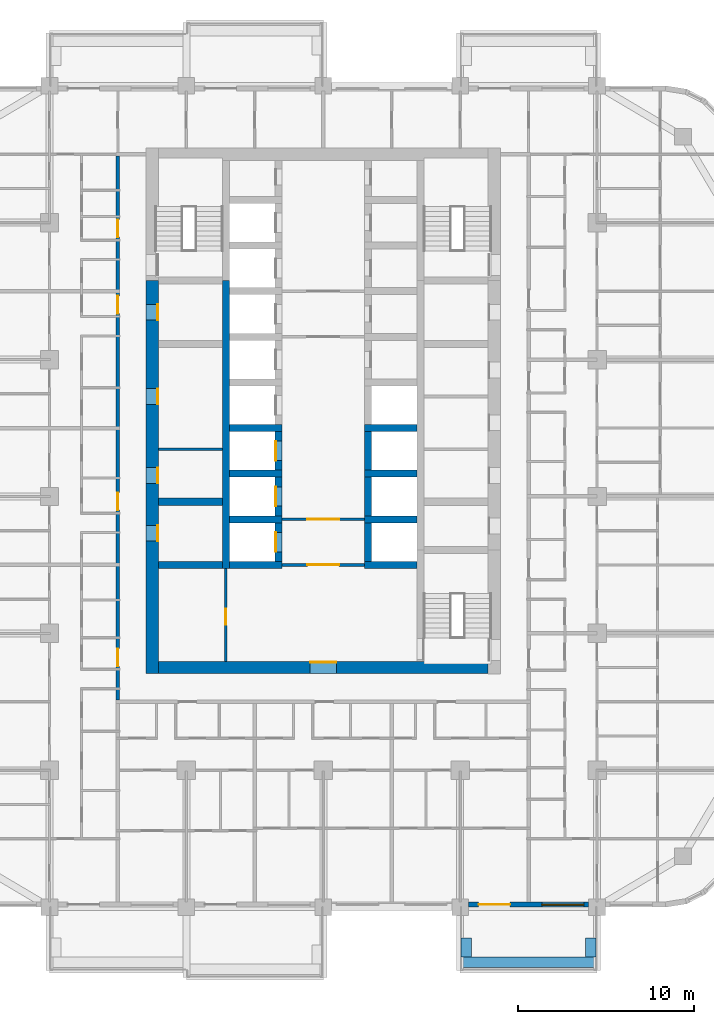
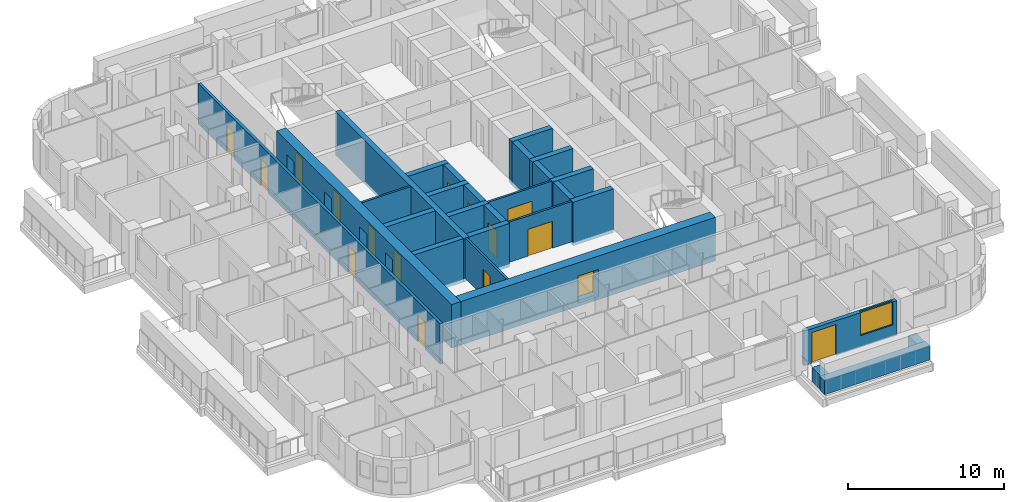
# One storey, part 6 of 18: 28 walls, 16 doors, 1 window, 17 openings.
"""IFC4 building model written with IfcOpenShell, lengths in metres."""

from ifc_helpers import new_model, si_unit, direction, frame, frame_2d, origin, place, context, subcontext, project, spatial, rectangle, extrude, material, layer, layer_set, type_object, element, fill, save


model = new_model("IFC4")

# Units and contexts
model_context = context("Model", 3, precision=1e-05, world=origin(), true_north=direction((0.0, 1.0)))
body_context = subcontext(model_context, "Body", "Model", "MODEL_VIEW")
ifc_project = project(units=[si_unit("LENGTHUNIT", "METRE"), si_unit("AREAUNIT", "SQUARE_METRE"), si_unit("VOLUMEUNIT", "CUBIC_METRE"), si_unit("PLANEANGLEUNIT", "RADIAN"), si_unit("MASSUNIT", "GRAM", prefix="KILO")], contexts=[model_context])

# Site, building, storey
site_placement = place(None, origin())
site = spatial("IfcSite", under=ifc_project, at=site_placement, CompositionType="ELEMENT")
building_placement = place(site_placement, origin())
building = spatial("IfcBuilding", under=site, at=building_placement, Name="Ludao Terraces", CompositionType="ELEMENT")
storey_placement = place(building_placement, frame((0.0, 0.0, 64.800048828125)))
storey = spatial("IfcBuildingStorey", under=building, at=storey_placement, Name="L17", CompositionType="ELEMENT", Elevation=64.800048828125)

# Wall, openings, doors
ifc_material_1 = material(Name="Concrete C70", Category="concrete")
ifc_layer_1 = layer(ifc_material_1, 0.699951171875)
ifc_layer_set_1 = layer_set([ifc_layer_1], Name="Core wall 700 C70")
wall_type_1 = type_object("IfcWallType", Name="Core wall 700 C70", PredefinedType="SOLIDWALL", material=ifc_layer_set_1)
wall_1_placement = place(storey_placement, frame((75.25, 54.89990234375, -0.25), z_axis=(0.0, 0.0, 1.0), x_axis=(0.0, 1.0, 0.0)))
wall_1 = element("IfcWall", 1, at=wall_1_placement, inside=storey, type_object=wall_type_1, Name="Core wall L17 outer-W", PredefinedType="SOLIDWALL", context=body_context, shape_type="SweptSolid", body=[
    extrude(rectangle(XDim=22.400146484375, YDim=0.699951171875, at=frame_2d((11.2001953125, 0.0))), origin(), (0.0, 0.0, 1.0), 3.39990234375),
])
opening_1_placement = place(wall_1_placement, frame((7.550048828125, 0.0, 0.25)))
opening_1 = element("IfcOpeningElement", 2, at=opening_1_placement, cuts=wall_1, Name="Opening R05-079", PredefinedType="OPENING", context=body_context, shape_type="SweptSolid", body=[
    extrude(rectangle(XDim=0.89990234375, YDim=2.10009765625, at=frame_2d((0.449951171875, 1.050048828125))), frame((0.0, 0.35986328125, 0.0), z_axis=(0.0, -1.0, 0.0), x_axis=(1.0, 0.0, 0.0)), (0.0, 0.0, 1.0), 0.719970703125),
])
opening_2_placement = place(wall_1_placement, frame((10.85009765625, 0.0, 0.25)))
opening_2 = element("IfcOpeningElement", 3, at=opening_2_placement, cuts=wall_1, Name="Opening R05-092", PredefinedType="OPENING", context=body_context, shape_type="SweptSolid", body=[
    extrude(rectangle(XDim=0.89990234375, YDim=2.10009765625, at=frame_2d((0.449951171875, 1.050048828125))), frame((0.0, 0.35986328125, 0.0), z_axis=(0.0, -1.0, 0.0), x_axis=(1.0, 0.0, 0.0)), (0.0, 0.0, 1.0), 0.719970703125),
])
opening_3_placement = place(wall_1_placement, frame((15.35009765625, 0.0, 0.25)))
opening_3 = element("IfcOpeningElement", 4, at=opening_3_placement, cuts=wall_1, Name="Opening R05-105", PredefinedType="OPENING", context=body_context, shape_type="SweptSolid", body=[
    extrude(rectangle(XDim=0.89990234375, YDim=2.10009765625, at=frame_2d((0.449951171875, 1.050048828125))), frame((0.0, 0.35986328125, 0.0), z_axis=(0.0, -1.0, 0.0), x_axis=(1.0, 0.0, 0.0)), (0.0, 0.0, 1.0), 0.719970703125),
])
opening_4_placement = place(wall_1_placement, frame((20.14990234375, 0.0, 0.25)))
opening_4 = element("IfcOpeningElement", 5, at=opening_4_placement, cuts=wall_1, Name="Opening R05-123", PredefinedType="OPENING", context=body_context, shape_type="SweptSolid", body=[
    extrude(rectangle(XDim=0.89990234375, YDim=2.10009765625, at=frame_2d((0.449951171875, 1.050048828125))), frame((0.0, 0.35986328125, 0.0), z_axis=(0.0, -1.0, 0.0), x_axis=(1.0, 0.0, 0.0)), (0.0, 0.0, 1.0), 0.719970703125),
])
ifc_material_2 = material(Name="Steel Q235", Category="steel")
door_type_1 = type_object("IfcDoorType", Name="INT Riser door 900", OperationType="SINGLE_SWING_LEFT", PredefinedType="DOOR", material=ifc_material_2)
door_1_placement = place(opening_1_placement, origin())
door_1 = element("IfcDoor", 6, at=door_1_placement, inside=storey, type_object=door_type_1, Name="DOOR 079", OperationType="SINGLE_SWING_RIGHT", OverallHeight=2.10009765625, OverallWidth=0.89990234375, PredefinedType="DOOR", context=body_context, shape_type="SweptSolid", body=[
    extrude(rectangle(XDim=0.89990234375, YDim=2.10009765625, at=frame_2d((0.449951171875, 1.050048828125))), frame((0.0, -0.28515625, 0.0), z_axis=(0.0, -1.0, 0.0), x_axis=(1.0, 0.0, 0.0)), (0.0, 0.0, 1.0), 0.050048828125),
])
fill(opening_1, door_1)
door_2_placement = place(opening_4_placement, origin())
door_2 = element("IfcDoor", 7, at=door_2_placement, inside=storey, type_object=door_type_1, Name="DOOR 123", OperationType="SINGLE_SWING_RIGHT", OverallHeight=2.10009765625, OverallWidth=0.89990234375, PredefinedType="DOOR", context=body_context, shape_type="SweptSolid", body=[
    extrude(rectangle(XDim=0.89990234375, YDim=2.10009765625, at=frame_2d((0.449951171875, 1.050048828125))), frame((0.0, -0.28515625, 0.0), z_axis=(0.0, -1.0, 0.0), x_axis=(1.0, 0.0, 0.0)), (0.0, 0.0, 1.0), 0.050048828125),
])
fill(opening_4, door_2)
ifc_material_3 = material(Name="Timber door leaf", Category="wood")
door_type_2 = type_object("IfcDoorType", Name="INT Room door 900", OperationType="SINGLE_SWING_LEFT", PredefinedType="DOOR", material=ifc_material_3)
door_3_placement = place(opening_2_placement, origin())
door_3 = element("IfcDoor", 8, at=door_3_placement, inside=storey, type_object=door_type_2, Name="DOOR 092", OperationType="SINGLE_SWING_RIGHT", OverallHeight=2.10009765625, OverallWidth=0.89990234375, PredefinedType="DOOR", context=body_context, shape_type="SweptSolid", body=[
    extrude(rectangle(XDim=0.89990234375, YDim=2.10009765625, at=frame_2d((0.449951171875, 1.050048828125))), frame((0.0, -0.28515625, 0.0), z_axis=(0.0, -1.0, 0.0), x_axis=(1.0, 0.0, 0.0)), (0.0, 0.0, 1.0), 0.050048828125),
])
fill(opening_2, door_3)
door_4_placement = place(opening_3_placement, origin())
door_4 = element("IfcDoor", 9, at=door_4_placement, inside=storey, type_object=door_type_2, Name="DOOR 105", OperationType="SINGLE_SWING_LEFT", OverallHeight=2.10009765625, OverallWidth=0.89990234375, PredefinedType="DOOR", context=body_context, shape_type="SweptSolid", body=[
    extrude(rectangle(XDim=0.89990234375, YDim=2.10009765625, at=frame_2d((0.449951171875, 1.050048828125))), frame((0.0, -0.28515625, 0.0), z_axis=(0.0, -1.0, 0.0), x_axis=(1.0, 0.0, 0.0)), (0.0, 0.0, 1.0), 0.050048828125),
])
fill(opening_3, door_4)

# Wall, opening, door
wall_2_placement = place(storey_placement, frame((75.60009765625, 55.25, -0.25), z_axis=(0.0, 0.0, 1.0), x_axis=(1.0, 0.0, 0.0)))
wall_2 = element("IfcWall", 10, at=wall_2_placement, inside=storey, type_object=wall_type_1, Name="Core wall L17 outer-S", PredefinedType="SOLIDWALL", context=body_context, shape_type="SweptSolid", body=[
    extrude(rectangle(XDim=18.7998046875, YDim=0.699951171875, at=frame_2d((9.39990234375, 0.0))), origin(), (0.0, 0.0, 1.0), 3.39990234375),
])
opening_5_placement = place(wall_2_placement, frame((8.64990234375, 0.0, 0.25)))
opening_5 = element("IfcOpeningElement", 11, at=opening_5_placement, cuts=wall_2, Name="Opening R05-054", PredefinedType="OPENING", context=body_context, shape_type="SweptSolid", body=[
    extrude(rectangle(XDim=1.5, YDim=2.10009765625, at=frame_2d((0.75, 1.050048828125))), frame((0.0, 0.35986328125, 0.0), z_axis=(0.0, -1.0, 0.0), x_axis=(1.0, 0.0, 0.0)), (0.0, 0.0, 1.0), 0.719970703125),
])
door_type_3 = type_object("IfcDoorType", Name="INT Lobby door 1500", OperationType="DOUBLE_DOOR_SINGLE_SWING", PredefinedType="DOOR", material=ifc_material_2)
door_5_placement = place(opening_5_placement, origin())
door_5 = element("IfcDoor", 12, at=door_5_placement, inside=storey, type_object=door_type_3, Name="DOOR 054", OperationType="DOUBLE_DOOR_SINGLE_SWING", OverallHeight=2.10009765625, OverallWidth=1.5, PredefinedType="DOOR", context=body_context, shape_type="SweptSolid", body=[
    extrude(rectangle(XDim=1.5, YDim=2.10009765625, at=frame_2d((0.75, 1.050048828125))), frame((0.0, 0.3349609375, 0.0), z_axis=(0.0, -1.0, 0.0), x_axis=(1.0, 0.0, 0.0)), (0.0, 0.0, 1.0), 0.050048828125),
])
fill(opening_5, door_5)

# Walls
ifc_material_4 = material(Name="Concrete C40", Category="concrete")
ifc_layer_2 = layer(ifc_material_4, 0.60009765625)
ifc_layer_set_2 = layer_set([ifc_layer_2], Name="ENV Planter trough 600")
wall_type_2 = type_object("IfcWallType", Name="ENV Planter trough 600", PredefinedType="USERDEFINED", material=ifc_layer_set_2)
wall_3_placement = place(storey_placement, frame((92.800048828125, 38.449951171875, 0.0), z_axis=(0.0, 0.0, 1.0), x_axis=(1.0, 0.0, 0.0)))
element("IfcWall", 13, at=wall_3_placement, inside=storey, type_object=wall_type_2, Name="PL-L17-S4", ObjectType="PLANTER", PredefinedType="USERDEFINED", context=body_context, shape_type="SweptSolid", body=[
    extrude(rectangle(XDim=7.800048828125, YDim=0.60009765625, at=frame_2d((3.89990234375, 0.0))), origin(), (0.0, 0.0, 1.0), 1.099853515625),
])
for number, where, z_axis, x_axis, name in (
    (14, (93.14990234375, 38.75, 0.0), (0.0, 0.0, 1.0), (0.0, 1.0, 0.0), "PL-L17-S4-SA"),
    (15, (100.25, 38.75, 0.0), (0.0, 0.0, 1.0), (0.0, 1.0, 0.0), "PL-L17-S4-SB"),
):
    element("IfcWall", number, at=place(storey_placement, frame(where, z_axis=z_axis, x_axis=x_axis)), inside=storey, type_object=wall_type_2, Name=name, ObjectType="PLANTER", PredefinedType="USERDEFINED", context=body_context, shape_type="SweptSolid", body=[
        extrude(rectangle(XDim=1.10009765625, YDim=0.60009765625, at=frame_2d((0.550048828125, 0.0))), origin(), (0.0, 0.0, 1.0), 1.099853515625),
    ])

# Wall, openings, door, window
ifc_material_5 = material(Name="Granite cladding", Category="masonry")
ifc_layer_3 = layer(ifc_material_5, 0.0400390625, Category="stone")
ifc_material_6 = material(Name="Mineral wool")
ifc_layer_4 = layer(ifc_material_6, 0.06005859375)
ifc_layer_5 = layer(ifc_material_4, 0.199951171875, Category="concrete")
ifc_layer_set_3 = layer_set([ifc_layer_3, ifc_layer_4, ifc_layer_5], Name="ENV Stone-clad wall 300")
wall_type_3 = type_object("IfcWallType", Name="ENV Stone-clad wall 300", PredefinedType="SOLIDWALL", material=ifc_layer_set_3)
wall_4_placement = place(storey_placement, frame((93.27490234375, 41.75, 0.0), z_axis=(0.0, 0.0, 1.0), x_axis=(1.0, 0.0, 0.0)))
wall_4 = element("IfcWall", 16, at=wall_4_placement, inside=storey, type_object=wall_type_3, Name="EW-L17-S5", PredefinedType="SOLIDWALL", context=body_context, shape_type="SweptSolid", body=[
    extrude(rectangle(XDim=6.85009765625, YDim=0.300048828125, at=frame_2d((3.425048828125, 0.0))), origin(), (0.0, 0.0, 1.0), 2.699951171875),
])
opening_6_placement = place(wall_4_placement, frame((0.574951171875, 0.0, 0.0)))
opening_6 = element("IfcOpeningElement", 17, at=opening_6_placement, cuts=wall_4, Name="Opening BD", PredefinedType="OPENING", context=body_context, shape_type="SweptSolid", body=[
    extrude(rectangle(XDim=1.800048828125, YDim=2.39990234375, at=frame_2d((0.89990234375, 1.199951171875))), frame((0.0, 0.16015625, 0.0), z_axis=(0.0, -1.0, 0.0), x_axis=(1.0, 0.0, 0.0)), (0.0, 0.0, 1.0), 0.320068359375),
])
opening_7_placement = place(wall_4_placement, frame((4.175048828125, 0.0, 0.89990234375)))
opening_7 = element("IfcOpeningElement", 18, at=opening_7_placement, cuts=wall_4, Name="Opening W1", PredefinedType="OPENING", context=body_context, shape_type="SweptSolid", body=[
    extrude(rectangle(XDim=2.39990234375, YDim=1.800048828125, at=frame_2d((1.199951171875, 0.89990234375))), frame((0.0, 0.16015625, 0.0), z_axis=(0.0, -1.0, 0.0), x_axis=(1.0, 0.0, 0.0)), (0.0, 0.0, 1.0), 0.320068359375),
])
ifc_material_7 = material(Name="Aluminium glazed door", Category="aluminium")
ifc_layer_6 = layer(ifc_material_7, 0.06005859375)
ifc_layer_set_4 = layer_set([ifc_layer_6], Name="ENV Balcony door BD 1800x2400")
door_type_4 = type_object("IfcDoorType", Name="ENV Balcony door BD 1800x2400", OperationType="DOUBLE_DOOR_SINGLE_SWING", PredefinedType="DOOR", material=ifc_layer_set_4)
door_6_placement = place(opening_6_placement, origin())
door_6 = element("IfcDoor", 19, at=door_6_placement, inside=storey, type_object=door_type_4, Name="BD-L17-S5-1", OperationType="DOUBLE_DOOR_SINGLE_SWING", OverallHeight=2.39990234375, OverallWidth=1.800048828125, PredefinedType="DOOR", context=body_context, shape_type="SweptSolid", body=[
    extrude(rectangle(XDim=1.800048828125, YDim=2.39990234375, at=frame_2d((0.89990234375, 1.199951171875))), frame((0.0, 0.02490234375, 0.0), z_axis=(0.0, -1.0, 0.0), x_axis=(1.0, 0.0, 0.0)), (0.0, 0.0, 1.0), 0.050048828125),
])
fill(opening_6, door_6)
ifc_material_8 = material(Name="Clear glass in aluminium frame", Category="aluminium")
ifc_layer_7 = layer(ifc_material_8, 0.06005859375)
ifc_layer_set_5 = layer_set([ifc_layer_7], Name="ENV Window W1 2400x1800")
window_type = type_object("IfcWindowType", Name="ENV Window W1 2400x1800", PartitioningType="DOUBLE_PANEL_VERTICAL", PredefinedType="WINDOW", material=ifc_layer_set_5)
window_placement = place(opening_7_placement, origin())
window = element("IfcWindow", 20, at=window_placement, inside=storey, type_object=window_type, Name="W-L17-S5-2", OverallHeight=1.800048828125, OverallWidth=2.39990234375, PartitioningType="DOUBLE_PANEL_VERTICAL", PredefinedType="WINDOW", context=body_context, shape_type="SweptSolid", body=[
    extrude(rectangle(XDim=2.39990234375, YDim=1.800048828125, at=frame_2d((1.199951171875, 0.89990234375))), frame((0.0, 0.030029296875, 0.0), z_axis=(0.0, -1.0, 0.0), x_axis=(1.0, 0.0, 0.0)), (0.0, 0.0, 1.0), 0.06005859375),
])
fill(opening_7, window)

# Wall, opening, door
ifc_material_9 = material(Name="Fire-rated gypsum plasterboard", Category="gypsum")
ifc_layer_8 = layer(ifc_material_9, 0.012451171875, Category="gypsum")
ifc_layer_9 = layer(ifc_material_6, 0.10009765625, Name="insulation")
ifc_layer_10 = layer(ifc_material_2, 0.02490234375, Name="stud")
ifc_layer_11 = layer(ifc_material_9, 0.012451171875, Category="gypsum")
ifc_layer_set_6 = layer_set([ifc_layer_8, ifc_layer_9, ifc_layer_10, ifc_layer_11], Name="INT Core partition 150")
wall_type_4 = type_object("IfcWallType", Name="INT Core partition 150", PredefinedType="PARTITIONING", material=ifc_layer_set_6)
wall_5_placement = place(storey_placement, frame((82.650146484375, 61.10009765625, 0.0), z_axis=(0.0, 0.0, 1.0), x_axis=(1.0, 0.0, 0.0)))
wall_5 = element("IfcWall", 21, at=wall_5_placement, inside=storey, type_object=wall_type_4, Name="PW-L17-PW034", PredefinedType="PARTITIONING", context=body_context, shape_type="SweptSolid", body=[
    extrude(rectangle(XDim=4.699951171875, YDim=0.14990234375, at=frame_2d((2.35009765625, 0.0))), origin(), (0.0, 0.0, 1.0), 3.14990234375),
])
opening_8_placement = place(wall_5_placement, frame((1.449951171875, 0.0, 0.0)))
opening_8 = element("IfcOpeningElement", 22, at=opening_8_placement, cuts=wall_5, Name="Opening R05-073", PredefinedType="OPENING", context=body_context, shape_type="SweptSolid", body=[
    extrude(rectangle(XDim=1.800048828125, YDim=2.10009765625, at=frame_2d((0.89990234375, 1.050048828125))), frame((0.0, 0.0849609375, 0.0), z_axis=(0.0, -1.0, 0.0), x_axis=(1.0, 0.0, 0.0)), (0.0, 0.0, 1.0), 0.169921875),
])
door_type_5 = type_object("IfcDoorType", Name="INT Fire lobby door 1800", OperationType="DOUBLE_DOOR_SINGLE_SWING", PredefinedType="DOOR", material=ifc_material_2)
door_7_placement = place(opening_8_placement, origin())
door_7 = element("IfcDoor", 23, at=door_7_placement, inside=storey, type_object=door_type_5, Name="DOOR 073", OperationType="DOUBLE_DOOR_SINGLE_SWING", OverallHeight=2.10009765625, OverallWidth=1.800048828125, PredefinedType="DOOR", context=body_context, shape_type="SweptSolid", body=[
    extrude(rectangle(XDim=1.800048828125, YDim=2.10009765625, at=frame_2d((0.89990234375, 1.050048828125))), frame((0.0, 0.02490234375, 0.0), z_axis=(0.0, -1.0, 0.0), x_axis=(1.0, 0.0, 0.0)), (0.0, 0.0, 1.0), 0.050048828125),
])
fill(opening_8, door_7)

wall_6_placement = place(storey_placement, frame((82.650146484375, 63.699951171875, 0.0), z_axis=(0.0, 0.0, 1.0), x_axis=(1.0, 0.0, 0.0)))
wall_6 = element("IfcWall", 24, at=wall_6_placement, inside=storey, type_object=wall_type_4, Name="PW-L17-PW040", PredefinedType="PARTITIONING", context=body_context, shape_type="SweptSolid", body=[
    extrude(rectangle(XDim=4.699951171875, YDim=0.14990234375, at=frame_2d((2.35009765625, 0.0))), origin(), (0.0, 0.0, 1.0), 3.14990234375),
])
opening_9_placement = place(wall_6_placement, frame((1.449951171875, 0.0, 0.0)))
opening_9 = element("IfcOpeningElement", 25, at=opening_9_placement, cuts=wall_6, Name="Opening R05-081", PredefinedType="OPENING", context=body_context, shape_type="SweptSolid", body=[
    extrude(rectangle(XDim=1.800048828125, YDim=2.10009765625, at=frame_2d((0.89990234375, 1.050048828125))), frame((0.0, 0.0849609375, 0.0), z_axis=(0.0, -1.0, 0.0), x_axis=(1.0, 0.0, 0.0)), (0.0, 0.0, 1.0), 0.169921875),
])
door_8_placement = place(opening_9_placement, origin())
door_8 = element("IfcDoor", 26, at=door_8_placement, inside=storey, type_object=door_type_5, Name="DOOR 081", OperationType="DOUBLE_DOOR_SINGLE_SWING", OverallHeight=2.10009765625, OverallWidth=1.800048828125, PredefinedType="DOOR", context=body_context, shape_type="SweptSolid", body=[
    extrude(rectangle(XDim=1.800048828125, YDim=2.10009765625, at=frame_2d((0.89990234375, 1.050048828125))), frame((0.0, 0.02490234375, 0.0), z_axis=(0.0, -1.0, 0.0), x_axis=(1.0, 0.0, 0.0)), (0.0, 0.0, 1.0), 0.050048828125),
])
fill(opening_9, door_8)

# Wall
wall_7_placement = place(storey_placement, frame((75.60009765625, 67.699951171875, 0.0), z_axis=(0.0, 0.0, 1.0), x_axis=(1.0, 0.0, 0.0)))
element("IfcWall", 27, at=wall_7_placement, inside=storey, type_object=wall_type_4, Name="PW-L17-PW047", PredefinedType="PARTITIONING", context=body_context, shape_type="SweptSolid", body=[
    extrude(rectangle(XDim=3.64990234375, YDim=0.14990234375, at=frame_2d((1.824951171875, 0.0))), origin(), (0.0, 0.0, 1.0), 3.14990234375),
])

# Wall, opening, door
wall_8_placement = place(storey_placement, frame((79.449951171875, 55.60009765625, 0.0), z_axis=(0.0, 0.0, 1.0), x_axis=(0.0, 1.0, 0.0)))
wall_8 = element("IfcWall", 28, at=wall_8_placement, inside=storey, type_object=wall_type_4, Name="PW-L17-PW100", PredefinedType="PARTITIONING", context=body_context, shape_type="SweptSolid", body=[
    extrude(rectangle(XDim=5.300048828125, YDim=0.14990234375, at=frame_2d((2.64990234375, 0.0))), origin(), (0.0, 0.0, 1.0), 3.14990234375),
])
opening_10_placement = place(wall_8_placement, frame((2.10009765625, 0.0, 0.0)))
opening_10 = element("IfcOpeningElement", 29, at=opening_10_placement, cuts=wall_8, Name="Opening R05-064", PredefinedType="OPENING", context=body_context, shape_type="SweptSolid", body=[
    extrude(rectangle(XDim=0.89990234375, YDim=2.10009765625, at=frame_2d((0.449951171875, 1.050048828125))), frame((0.0, 0.0849609375, 0.0), z_axis=(0.0, -1.0, 0.0), x_axis=(1.0, 0.0, 0.0)), (0.0, 0.0, 1.0), 0.169921875),
])
door_9_placement = place(opening_10_placement, origin())
door_9 = element("IfcDoor", 30, at=door_9_placement, inside=storey, type_object=door_type_2, Name="DOOR 064", OperationType="SINGLE_SWING_LEFT", OverallHeight=2.10009765625, OverallWidth=0.89990234375, PredefinedType="DOOR", context=body_context, shape_type="SweptSolid", body=[
    extrude(rectangle(XDim=0.89990234375, YDim=2.10009765625, at=frame_2d((0.449951171875, 1.050048828125))), frame((0.0, 0.02490234375, 0.0), z_axis=(0.0, -1.0, 0.0), x_axis=(1.0, 0.0, 0.0)), (0.0, 0.0, 1.0), 0.050048828125),
])
fill(opening_10, door_9)

# Wall, openings, doors
ifc_material_10 = material(Name="Autoclaved aerated concrete block B06 A3.5", Category="concrete")
ifc_layer_12 = layer(ifc_material_10, 0.199951171875)
ifc_layer_set_7 = layer_set([ifc_layer_12], Name="INT Entrance wall 200")
wall_type_5 = type_object("IfcWallType", Name="INT Entrance wall 200", PredefinedType="PARTITIONING", material=ifc_layer_set_7)
wall_9_placement = place(storey_placement, frame((73.300048828125, 53.400146484375, 0.0), z_axis=(0.0, 0.0, 1.0), x_axis=(0.0, 1.0, 0.0)))
wall_9 = element("IfcWall", 31, at=wall_9_placement, inside=storey, type_object=wall_type_5, Name="PW-L17-PW092", PredefinedType="PARTITIONING", context=body_context, shape_type="SweptSolid", body=[
    extrude(rectangle(XDim=31.0, YDim=0.199951171875, at=frame_2d((15.5, 0.0))), origin(), (0.0, 0.0, 1.0), 3.14990234375),
])
opening_11_placement = place(wall_9_placement, frame((1.925048828125, 0.0, 0.0)))
opening_11 = element("IfcOpeningElement", 32, at=opening_11_placement, cuts=wall_9, Name="Opening R05-056", PredefinedType="OPENING", context=body_context, shape_type="SweptSolid", body=[
    extrude(rectangle(XDim=1.0, YDim=2.10009765625, at=frame_2d((0.5, 1.050048828125))), frame((0.0, 0.10986328125, 0.0), z_axis=(0.0, -1.0, 0.0), x_axis=(1.0, 0.0, 0.0)), (0.0, 0.0, 1.0), 0.219970703125),
])
opening_12_placement = place(wall_9_placement, frame((10.824951171875, 0.0, 0.0)))
opening_12 = element("IfcOpeningElement", 33, at=opening_12_placement, cuts=wall_9, Name="Opening R05-087", PredefinedType="OPENING", context=body_context, shape_type="SweptSolid", body=[
    extrude(rectangle(XDim=1.0, YDim=2.10009765625, at=frame_2d((0.5, 1.050048828125))), frame((0.0, 0.10986328125, 0.0), z_axis=(0.0, -1.0, 0.0), x_axis=(1.0, 0.0, 0.0)), (0.0, 0.0, 1.0), 0.219970703125),
])
opening_13_placement = place(wall_9_placement, frame((22.02490234375, 0.0, 0.0)))
opening_13 = element("IfcOpeningElement", 34, at=opening_13_placement, cuts=wall_9, Name="Opening R05-127", PredefinedType="OPENING", context=body_context, shape_type="SweptSolid", body=[
    extrude(rectangle(XDim=1.0, YDim=2.10009765625, at=frame_2d((0.5, 1.050048828125))), frame((0.0, 0.10986328125, 0.0), z_axis=(0.0, -1.0, 0.0), x_axis=(1.0, 0.0, 0.0)), (0.0, 0.0, 1.0), 0.219970703125),
])
opening_14_placement = place(wall_9_placement, frame((26.375, 0.0, 0.0)))
opening_14 = element("IfcOpeningElement", 35, at=opening_14_placement, cuts=wall_9, Name="Opening R05-142", PredefinedType="OPENING", context=body_context, shape_type="SweptSolid", body=[
    extrude(rectangle(XDim=1.0, YDim=2.10009765625, at=frame_2d((0.5, 1.050048828125))), frame((0.0, 0.10986328125, 0.0), z_axis=(0.0, -1.0, 0.0), x_axis=(1.0, 0.0, 0.0)), (0.0, 0.0, 1.0), 0.219970703125),
])
door_type_6 = type_object("IfcDoorType", Name="INT Flat entrance door 1000", OperationType="SINGLE_SWING_LEFT", PredefinedType="DOOR", material=ifc_material_2)
door_10_placement = place(opening_11_placement, origin())
door_10 = element("IfcDoor", 36, at=door_10_placement, inside=storey, type_object=door_type_6, Name="DOOR 056", OperationType="SINGLE_SWING_RIGHT", OverallHeight=2.10009765625, OverallWidth=1.0, PredefinedType="DOOR", context=body_context, shape_type="SweptSolid", body=[
    extrude(rectangle(XDim=1.0, YDim=2.10009765625, at=frame_2d((0.5, 1.050048828125))), frame((0.0, 0.02490234375, 0.0), z_axis=(0.0, -1.0, 0.0), x_axis=(1.0, 0.0, 0.0)), (0.0, 0.0, 1.0), 0.050048828125),
])
fill(opening_11, door_10)
door_11_placement = place(opening_12_placement, origin())
door_11 = element("IfcDoor", 37, at=door_11_placement, inside=storey, type_object=door_type_6, Name="DOOR 087", OperationType="SINGLE_SWING_RIGHT", OverallHeight=2.10009765625, OverallWidth=1.0, PredefinedType="DOOR", context=body_context, shape_type="SweptSolid", body=[
    extrude(rectangle(XDim=1.0, YDim=2.10009765625, at=frame_2d((0.5, 1.050048828125))), frame((0.0, 0.02490234375, 0.0), z_axis=(0.0, -1.0, 0.0), x_axis=(1.0, 0.0, 0.0)), (0.0, 0.0, 1.0), 0.050048828125),
])
fill(opening_12, door_11)
door_12_placement = place(opening_13_placement, origin())
door_12 = element("IfcDoor", 38, at=door_12_placement, inside=storey, type_object=door_type_6, Name="DOOR 127", OperationType="SINGLE_SWING_RIGHT", OverallHeight=2.10009765625, OverallWidth=1.0, PredefinedType="DOOR", context=body_context, shape_type="SweptSolid", body=[
    extrude(rectangle(XDim=1.0, YDim=2.10009765625, at=frame_2d((0.5, 1.050048828125))), frame((0.0, 0.02490234375, 0.0), z_axis=(0.0, -1.0, 0.0), x_axis=(1.0, 0.0, 0.0)), (0.0, 0.0, 1.0), 0.050048828125),
])
fill(opening_13, door_12)
door_13_placement = place(opening_14_placement, origin())
door_13 = element("IfcDoor", 39, at=door_13_placement, inside=storey, type_object=door_type_6, Name="DOOR 142", OperationType="SINGLE_SWING_RIGHT", OverallHeight=2.10009765625, OverallWidth=1.0, PredefinedType="DOOR", context=body_context, shape_type="SweptSolid", body=[
    extrude(rectangle(XDim=1.0, YDim=2.10009765625, at=frame_2d((0.5, 1.050048828125))), frame((0.0, 0.02490234375, 0.0), z_axis=(0.0, -1.0, 0.0), x_axis=(1.0, 0.0, 0.0)), (0.0, 0.0, 1.0), 0.050048828125),
])
fill(opening_14, door_13)

# Walls
ifc_material_11 = material(Name="Concrete C60", Category="concrete")
ifc_layer_13 = layer(ifc_material_11, 0.39990234375)
ifc_layer_set_8 = layer_set([ifc_layer_13], Name="Shaft wall 400 C60")
wall_type_6 = type_object("IfcWallType", Name="Shaft wall 400 C60", PredefinedType="SOLIDWALL", material=ifc_layer_set_8)
wall_10_placement = place(storey_placement, frame((79.449951171875, 60.89990234375, -0.25), z_axis=(0.0, 0.0, 1.0), x_axis=(0.0, 1.0, 0.0)))
element("IfcWall", 40, at=wall_10_placement, inside=storey, type_object=wall_type_6, Name="Core wall L17 back-W", PredefinedType="SOLIDWALL", context=body_context, shape_type="SweptSolid", body=[
    extrude(rectangle(XDim=16.400146484375, YDim=0.39990234375, at=frame_2d((8.2001953125, 0.0))), origin(), (0.0, 0.0, 1.0), 3.39990234375),
])
wall_11_placement = place(storey_placement, frame((79.64990234375, 61.10009765625, -0.25), z_axis=(0.0, 0.0, 1.0), x_axis=(1.0, 0.0, 0.0)))
element("IfcWall", 41, at=wall_11_placement, inside=storey, type_object=wall_type_6, Name="Core wall L17 div-W1", PredefinedType="SOLIDWALL", context=body_context, shape_type="SweptSolid", body=[
    extrude(rectangle(XDim=3.0, YDim=0.39990234375, at=frame_2d((1.5, 0.0))), origin(), (0.0, 0.0, 1.0), 3.39990234375),
])

# Wall, opening, door
wall_12_placement = place(storey_placement, frame((82.449951171875, 61.300048828125, -0.25), z_axis=(0.0, 0.0, 1.0), x_axis=(0.0, 1.0, 0.0)))
wall_12 = element("IfcWall", 42, at=wall_12_placement, inside=storey, type_object=wall_type_6, Name="Core wall L17 front-W1", PredefinedType="SOLIDWALL", context=body_context, shape_type="SweptSolid", body=[
    extrude(rectangle(XDim=2.199951171875, YDim=0.39990234375, at=frame_2d((1.10009765625, 0.0))), origin(), (0.0, 0.0, 1.0), 3.39990234375),
])
opening_15_placement = place(wall_12_placement, frame((0.550048828125, 0.0, 0.25)))
opening_15 = element("IfcOpeningElement", 43, at=opening_15_placement, cuts=wall_12, Name="Opening LD-LA1", PredefinedType="OPENING", context=body_context, shape_type="SweptSolid", body=[
    extrude(rectangle(XDim=1.10009765625, YDim=2.10009765625, at=frame_2d((0.550048828125, 1.050048828125))), frame((0.0, 0.2099609375, 0.0), z_axis=(0.0, -1.0, 0.0), x_axis=(1.0, 0.0, 0.0)), (0.0, 0.0, 1.0), 0.419921875),
])
ifc_material_12 = material(Name="Stainless steel 304", Category="steel")
door_type_7 = type_object("IfcDoorType", Name="INT Lift landing door 1100", OperationType="SLIDING_TO_LEFT", PredefinedType="DOOR", material=ifc_material_12)
door_14_placement = place(opening_15_placement, origin())
door_14 = element("IfcDoor", 44, at=door_14_placement, inside=storey, type_object=door_type_7, Name="LANDING DOOR LA1 L17", OperationType="SLIDING_TO_RIGHT", OverallHeight=2.10009765625, OverallWidth=1.10009765625, PredefinedType="DOOR", context=body_context, shape_type="SweptSolid", body=[
    extrude(rectangle(XDim=1.10009765625, YDim=2.10009765625, at=frame_2d((0.550048828125, 1.050048828125))), frame((0.0, 0.18505859375, 0.0), z_axis=(0.0, -1.0, 0.0), x_axis=(1.0, 0.0, 0.0)), (0.0, 0.0, 1.0), 0.050048828125),
])
fill(opening_15, door_14)

# Wall
wall_13_placement = place(storey_placement, frame((79.64990234375, 63.699951171875, -0.25), z_axis=(0.0, 0.0, 1.0), x_axis=(1.0, 0.0, 0.0)))
element("IfcWall", 45, at=wall_13_placement, inside=storey, type_object=wall_type_6, Name="Core wall L17 div-W2", PredefinedType="SOLIDWALL", context=body_context, shape_type="SweptSolid", body=[
    extrude(rectangle(XDim=3.0, YDim=0.39990234375, at=frame_2d((1.5, 0.0))), origin(), (0.0, 0.0, 1.0), 3.39990234375),
])

# Wall, opening, door
wall_14_placement = place(storey_placement, frame((82.449951171875, 63.89990234375, -0.25), z_axis=(0.0, 0.0, 1.0), x_axis=(0.0, 1.0, 0.0)))
wall_14 = element("IfcWall", 46, at=wall_14_placement, inside=storey, type_object=wall_type_6, Name="Core wall L17 front-W2", PredefinedType="SOLIDWALL", context=body_context, shape_type="SweptSolid", body=[
    extrude(rectangle(XDim=2.2001953125, YDim=0.39990234375, at=frame_2d((1.10009765625, 0.0))), origin(), (0.0, 0.0, 1.0), 3.39990234375),
])
opening_16_placement = place(wall_14_placement, frame((0.550048828125, 0.0, 0.25)))
opening_16 = element("IfcOpeningElement", 47, at=opening_16_placement, cuts=wall_14, Name="Opening LD-LA2", PredefinedType="OPENING", context=body_context, shape_type="SweptSolid", body=[
    extrude(rectangle(XDim=1.10009765625, YDim=2.10009765625, at=frame_2d((0.550048828125, 1.050048828125))), frame((0.0, 0.2099609375, 0.0), z_axis=(0.0, -1.0, 0.0), x_axis=(1.0, 0.0, 0.0)), (0.0, 0.0, 1.0), 0.419921875),
])
door_15_placement = place(opening_16_placement, origin())
door_15 = element("IfcDoor", 48, at=door_15_placement, inside=storey, type_object=door_type_7, Name="LANDING DOOR LA2 L17", OperationType="SLIDING_TO_RIGHT", OverallHeight=2.10009765625, OverallWidth=1.10009765625, PredefinedType="DOOR", context=body_context, shape_type="SweptSolid", body=[
    extrude(rectangle(XDim=1.10009765625, YDim=2.10009765625, at=frame_2d((0.550048828125, 1.050048828125))), frame((0.0, 0.18505859375, 0.0), z_axis=(0.0, -1.0, 0.0), x_axis=(1.0, 0.0, 0.0)), (0.0, 0.0, 1.0), 0.050048828125),
])
fill(opening_16, door_15)

# Wall
wall_15_placement = place(storey_placement, frame((79.64990234375, 66.300048828125, -0.25), z_axis=(0.0, 0.0, 1.0), x_axis=(1.0, 0.0, 0.0)))
element("IfcWall", 49, at=wall_15_placement, inside=storey, type_object=wall_type_6, Name="Core wall L17 div-W3", PredefinedType="SOLIDWALL", context=body_context, shape_type="SweptSolid", body=[
    extrude(rectangle(XDim=3.0, YDim=0.39990234375, at=frame_2d((1.5, 0.0))), origin(), (0.0, 0.0, 1.0), 3.39990234375),
])

# Wall, opening, door
wall_16_placement = place(storey_placement, frame((82.449951171875, 66.5, -0.25), z_axis=(0.0, 0.0, 1.0), x_axis=(0.0, 1.0, 0.0)))
wall_16 = element("IfcWall", 50, at=wall_16_placement, inside=storey, type_object=wall_type_6, Name="Core wall L17 front-W3", PredefinedType="SOLIDWALL", context=body_context, shape_type="SweptSolid", body=[
    extrude(rectangle(XDim=2.199951171875, YDim=0.39990234375, at=frame_2d((1.10009765625, 0.0))), origin(), (0.0, 0.0, 1.0), 3.39990234375),
])
opening_17_placement = place(wall_16_placement, frame((0.550048828125, 0.0, 0.25)))
opening_17 = element("IfcOpeningElement", 51, at=opening_17_placement, cuts=wall_16, Name="Opening LD-LA3", PredefinedType="OPENING", context=body_context, shape_type="SweptSolid", body=[
    extrude(rectangle(XDim=1.10009765625, YDim=2.10009765625, at=frame_2d((0.550048828125, 1.050048828125))), frame((0.0, 0.2099609375, 0.0), z_axis=(0.0, -1.0, 0.0), x_axis=(1.0, 0.0, 0.0)), (0.0, 0.0, 1.0), 0.419921875),
])
door_16_placement = place(opening_17_placement, origin())
door_16 = element("IfcDoor", 52, at=door_16_placement, inside=storey, type_object=door_type_7, Name="LANDING DOOR LA3 L17", OperationType="SLIDING_TO_RIGHT", OverallHeight=2.10009765625, OverallWidth=1.10009765625, PredefinedType="DOOR", context=body_context, shape_type="SweptSolid", body=[
    extrude(rectangle(XDim=1.10009765625, YDim=2.10009765625, at=frame_2d((0.550048828125, 1.050048828125))), frame((0.0, 0.18505859375, 0.0), z_axis=(0.0, -1.0, 0.0), x_axis=(1.0, 0.0, 0.0)), (0.0, 0.0, 1.0), 0.050048828125),
])
fill(opening_17, door_16)

# Walls
for number, where, z_axis, x_axis, name in (
    (53, (79.64990234375, 68.89990234375, -0.25), (0.0, 0.0, 1.0), (1.0, 0.0, 0.0), "Core wall L17 div-W4"),
    (54, (87.35009765625, 61.10009765625, -0.25), (0.0, 0.0, 1.0), (1.0, 0.0, 0.0), "Core wall L17 div-E1"),
):
    element("IfcWall", number, at=place(storey_placement, frame(where, z_axis=z_axis, x_axis=x_axis)), inside=storey, type_object=wall_type_6, Name=name, PredefinedType="SOLIDWALL", context=body_context, shape_type="SweptSolid", body=[
        extrude(rectangle(XDim=3.0, YDim=0.39990234375, at=frame_2d((1.5, 0.0))), origin(), (0.0, 0.0, 1.0), 3.39990234375),
    ])
wall_17_placement = place(storey_placement, frame((87.550048828125, 61.300048828125, -0.25), z_axis=(0.0, 0.0, 1.0), x_axis=(0.0, 1.0, 0.0)))
element("IfcWall", 55, at=wall_17_placement, inside=storey, type_object=wall_type_6, Name="Core wall L17 front-E1", PredefinedType="SOLIDWALL", context=body_context, shape_type="SweptSolid", body=[
    extrude(rectangle(XDim=2.199951171875, YDim=0.39990234375, at=frame_2d((1.10009765625, 0.0))), origin(), (0.0, 0.0, 1.0), 3.39990234375),
])
wall_18_placement = place(storey_placement, frame((87.35009765625, 63.699951171875, -0.25), z_axis=(0.0, 0.0, 1.0), x_axis=(1.0, 0.0, 0.0)))
element("IfcWall", 56, at=wall_18_placement, inside=storey, type_object=wall_type_6, Name="Core wall L17 div-E2", PredefinedType="SOLIDWALL", context=body_context, shape_type="SweptSolid", body=[
    extrude(rectangle(XDim=3.0, YDim=0.39990234375, at=frame_2d((1.5, 0.0))), origin(), (0.0, 0.0, 1.0), 3.39990234375),
])
wall_19_placement = place(storey_placement, frame((87.550048828125, 63.89990234375, -0.25), z_axis=(0.0, 0.0, 1.0), x_axis=(0.0, 1.0, 0.0)))
element("IfcWall", 57, at=wall_19_placement, inside=storey, type_object=wall_type_6, Name="Core wall L17 front-E2", PredefinedType="SOLIDWALL", context=body_context, shape_type="SweptSolid", body=[
    extrude(rectangle(XDim=2.2001953125, YDim=0.39990234375, at=frame_2d((1.10009765625, 0.0))), origin(), (0.0, 0.0, 1.0), 3.39990234375),
])
wall_20_placement = place(storey_placement, frame((87.35009765625, 66.300048828125, -0.25), z_axis=(0.0, 0.0, 1.0), x_axis=(1.0, 0.0, 0.0)))
element("IfcWall", 58, at=wall_20_placement, inside=storey, type_object=wall_type_6, Name="Core wall L17 div-E3", PredefinedType="SOLIDWALL", context=body_context, shape_type="SweptSolid", body=[
    extrude(rectangle(XDim=3.0, YDim=0.39990234375, at=frame_2d((1.5, 0.0))), origin(), (0.0, 0.0, 1.0), 3.39990234375),
])
wall_21_placement = place(storey_placement, frame((87.550048828125, 66.5, -0.25), z_axis=(0.0, 0.0, 1.0), x_axis=(0.0, 1.0, 0.0)))
element("IfcWall", 59, at=wall_21_placement, inside=storey, type_object=wall_type_6, Name="Core wall L17 front-E3", PredefinedType="SOLIDWALL", context=body_context, shape_type="SweptSolid", body=[
    extrude(rectangle(XDim=2.199951171875, YDim=0.39990234375, at=frame_2d((1.10009765625, 0.0))), origin(), (0.0, 0.0, 1.0), 3.39990234375),
])
wall_22_placement = place(storey_placement, frame((87.35009765625, 68.89990234375, -0.25), z_axis=(0.0, 0.0, 1.0), x_axis=(1.0, 0.0, 0.0)))
element("IfcWall", 60, at=wall_22_placement, inside=storey, type_object=wall_type_6, Name="Core wall L17 div-E4", PredefinedType="SOLIDWALL", context=body_context, shape_type="SweptSolid", body=[
    extrude(rectangle(XDim=3.0, YDim=0.39990234375, at=frame_2d((1.5, 0.0))), origin(), (0.0, 0.0, 1.0), 3.39990234375),
])
for number, where, z_axis, x_axis, name in (
    (61, (75.60009765625, 61.10009765625, -0.25), (0.0, 0.0, 1.0), (1.0, 0.0, 0.0), "Core wall L17 hall-W"),
    (62, (75.60009765625, 64.699951171875, -0.25), (0.0, 0.0, 1.0), (1.0, 0.0, 0.0), "Core wall L17 riser-a-W"),
):
    element("IfcWall", number, at=place(storey_placement, frame(where, z_axis=z_axis, x_axis=x_axis)), inside=storey, type_object=wall_type_6, Name=name, PredefinedType="SOLIDWALL", context=body_context, shape_type="SweptSolid", body=[
        extrude(rectangle(XDim=3.64990234375, YDim=0.39990234375, at=frame_2d((1.824951171875, 0.0))), origin(), (0.0, 0.0, 1.0), 3.39990234375),
    ])

save(model, "model.ifc")
